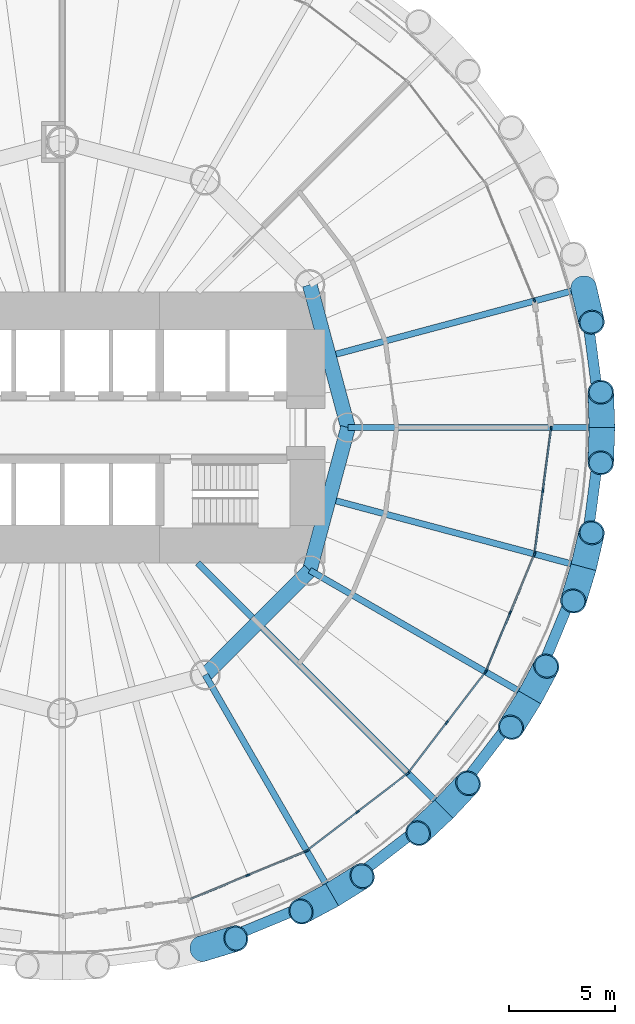
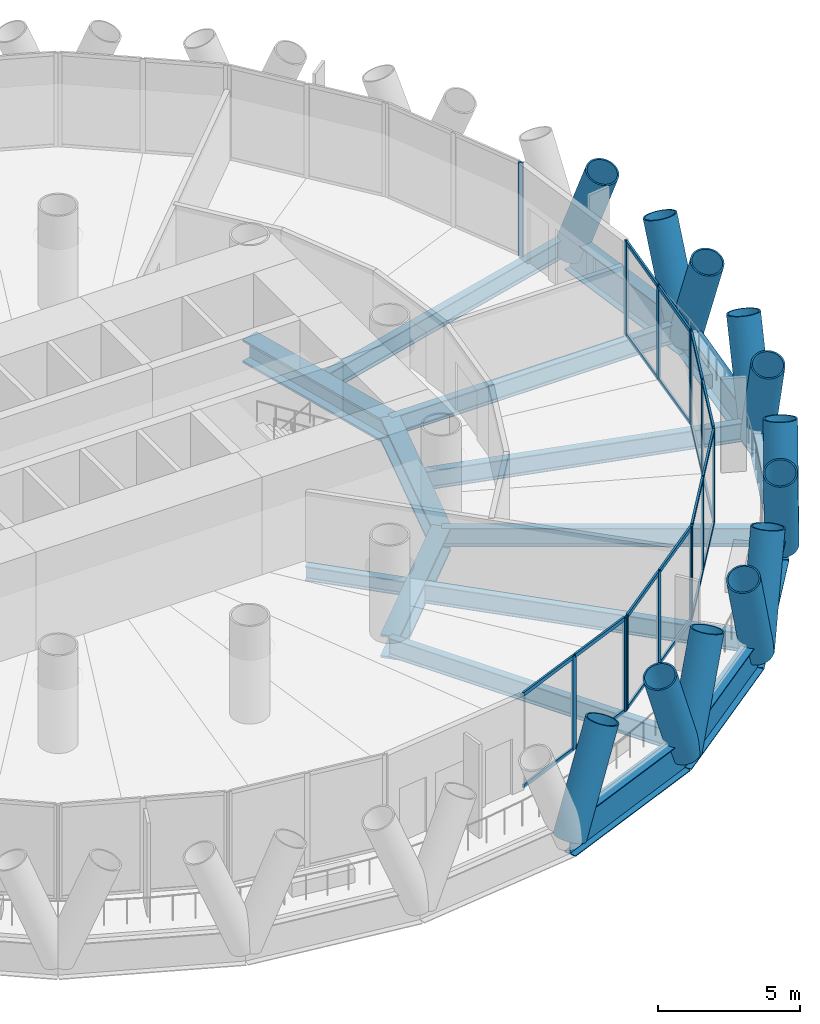
# One storey, part 4 of 14: 47 members, 16 beams, 6 elements without a shape of their own.
"""IFC4 building model written with IfcOpenShell, lengths in metres."""

from ifc_helpers import new_model, si_unit, direction, frame, origin, origin_2d, place, context, subcontext, project, spatial, rectangle, hollow_circle, i_section, extrude, material, material_profile, profile_set, type_object, element, aggregate, save


model = new_model("IFC4")

# Units and contexts
model_context = context("Model", 3, precision=1e-05, world=origin(), true_north=direction((0.0, 1.0)))
body_context = subcontext(model_context, "Body", "Model", "MODEL_VIEW")
ifc_project = project(units=[si_unit("LENGTHUNIT", "METRE"), si_unit("AREAUNIT", "SQUARE_METRE"), si_unit("VOLUMEUNIT", "CUBIC_METRE"), si_unit("PLANEANGLEUNIT", "RADIAN"), si_unit("MASSUNIT", "GRAM", prefix="KILO")], contexts=[model_context])

# Site, building, storey
site_placement = place(None, origin())
site = spatial("IfcSite", under=ifc_project, at=site_placement, CompositionType="ELEMENT")
building_placement = place(site_placement, origin())
building = spatial("IfcBuilding", under=site, at=building_placement, Name="Qaws Media Tower", CompositionType="ELEMENT")
storey_placement = place(building_placement, frame((0.0, 0.0, 76.39990234375)))
storey = spatial("IfcBuildingStorey", under=building, at=storey_placement, Name="L16", CompositionType="ELEMENT", Elevation=76.39990234375)

# Curtain wall, member
ifc_material_1 = material(Name="Aluminium and clear glass", Category="aluminium")
curtain_wall_type = type_object("IfcCurtainWallType", Name="Unitised curtain wall CW-A", PredefinedType="NOTDEFINED", material=ifc_material_1)
curtain_wall_1_placement = place(storey_placement, origin())
curtain_wall_1 = element("IfcCurtainWall", 1, at=curtain_wall_1_placement, inside=storey, type_object=curtain_wall_type, Name="CWA curtain wall L16-02", PredefinedType="NOTDEFINED")
ifc_material_2 = material(Name="Aluminium mullion", Category="aluminium")
ifc_material_profile_1 = material_profile(ifc_material_2, rectangle(XDim=0.080078125, YDim=0.199951171875, at=origin_2d()), Name="80x200")
ifc_profile_set_1 = profile_set([ifc_material_profile_1], Name="Aluminium mullion")
member_type_1 = type_object("IfcMemberType", Name="Curtain wall mullion 80x200", PredefinedType="MULLION", material=ifc_profile_set_1)
member_1_placement = place(storey_placement, frame((82.297607421875, 56.015625, 0.0), z_axis=(0.0, 0.0, 1.0), x_axis=(-0.923879517022, -0.382683469758, 0.0)))
member_1 = element("IfcMember", 2, at=member_1_placement, type_object=member_type_1, Name="CWA mullion 1", PredefinedType="MULLION", context=body_context, shape_type="SweptSolid", body=[
    extrude(rectangle(XDim=0.080078125, YDim=0.199951171875, at=origin_2d()), origin(), (0.0, 0.0, 1.0), 4.0400390625),
])
aggregate(curtain_wall_1, [member_1])

# Curtain wall, members
curtain_wall_2_placement = place(storey_placement, origin())
curtain_wall_2 = element("IfcCurtainWall", 3, at=curtain_wall_2_placement, inside=storey, type_object=curtain_wall_type, Name="CWA curtain wall L16-20", PredefinedType="NOTDEFINED")
member_2_placement = place(storey_placement, frame((68.764404296875, 28.841064453125, 0.0), z_axis=(0.0, 0.0, 1.0), x_axis=(-0.382683469758, 0.923879517022, 0.0)))
member_2 = element("IfcMember", 4, at=member_2_placement, type_object=member_type_1, Name="CWA mullion 2", PredefinedType="MULLION", context=body_context, shape_type="SweptSolid", body=[
    extrude(rectangle(XDim=0.080078125, YDim=0.199951171875, at=origin_2d()), origin(), (0.0, 0.0, 1.0), 4.0400390625),
])
member_3_placement = place(storey_placement, frame((71.512939453125, 29.9794921875, 0.0), z_axis=(0.0, 0.0, 1.0), x_axis=(-0.382683469758, 0.923879517022, 0.0)))
member_3 = element("IfcMember", 5, at=member_3_placement, type_object=member_type_1, Name="CWA mullion 3", PredefinedType="MULLION", context=body_context, shape_type="SweptSolid", body=[
    extrude(rectangle(XDim=0.080078125, YDim=0.199951171875, at=origin_2d()), origin(), (0.0, 0.0, 1.0), 4.0400390625),
])

curtain_wall_3_placement = place(storey_placement, origin())
curtain_wall_3 = element("IfcCurtainWall", 6, at=curtain_wall_3_placement, inside=storey, type_object=curtain_wall_type, Name="CWA curtain wall L16-21", PredefinedType="NOTDEFINED")
member_4_placement = place(storey_placement, frame((71.581787109375, 30.01904296875, 0.0), z_axis=(0.0, 0.0, 1.0), x_axis=(-0.608761381612, 0.79335337666, 0.0)))
member_4 = element("IfcMember", 7, at=member_4_placement, type_object=member_type_1, Name="CWA mullion 1", PredefinedType="MULLION", context=body_context, shape_type="SweptSolid", body=[
    extrude(rectangle(XDim=0.080078125, YDim=0.199951171875, at=origin_2d()), origin(), (0.0, 0.0, 1.0), 4.0400390625),
])
member_5_placement = place(storey_placement, frame((73.942138671875, 31.830322265625, 0.0), z_axis=(0.0, 0.0, 1.0), x_axis=(-0.608761381612, 0.79335337666, 0.0)))
member_5 = element("IfcMember", 8, at=member_5_placement, type_object=member_type_1, Name="CWA mullion 2", PredefinedType="MULLION", context=body_context, shape_type="SweptSolid", body=[
    extrude(rectangle(XDim=0.080078125, YDim=0.199951171875, at=origin_2d()), origin(), (0.0, 0.0, 1.0), 4.0400390625),
])
member_6_placement = place(storey_placement, frame((76.302490234375, 33.6416015625, 0.0), z_axis=(0.0, 0.0, 1.0), x_axis=(-0.608761381612, 0.79335337666, 0.0)))
member_6 = element("IfcMember", 9, at=member_6_placement, type_object=member_type_1, Name="CWA mullion 3", PredefinedType="MULLION", context=body_context, shape_type="SweptSolid", body=[
    extrude(rectangle(XDim=0.080078125, YDim=0.199951171875, at=origin_2d()), origin(), (0.0, 0.0, 1.0), 4.0400390625),
])

curtain_wall_4_placement = place(storey_placement, origin())
curtain_wall_4 = element("IfcCurtainWall", 10, at=curtain_wall_4_placement, inside=storey, type_object=curtain_wall_type, Name="CWA curtain wall L16-22", PredefinedType="NOTDEFINED")
member_7_placement = place(storey_placement, frame((76.3583984375, 33.697509765625, 0.0), z_axis=(0.0, 0.0, 1.0), x_axis=(-0.79335337666, 0.608761381612, 0.0)))
member_7 = element("IfcMember", 11, at=member_7_placement, type_object=member_type_1, Name="CWA mullion 1", PredefinedType="MULLION", context=body_context, shape_type="SweptSolid", body=[
    extrude(rectangle(XDim=0.080078125, YDim=0.199951171875, at=origin_2d()), origin(), (0.0, 0.0, 1.0), 4.0400390625),
])
member_8_placement = place(storey_placement, frame((78.169677734375, 36.057861328125, 0.0), z_axis=(0.0, 0.0, 1.0), x_axis=(-0.79335337666, 0.608761381612, 0.0)))
member_8 = element("IfcMember", 12, at=member_8_placement, type_object=member_type_1, Name="CWA mullion 2", PredefinedType="MULLION", context=body_context, shape_type="SweptSolid", body=[
    extrude(rectangle(XDim=0.080078125, YDim=0.199951171875, at=origin_2d()), origin(), (0.0, 0.0, 1.0), 4.0400390625),
])
member_9_placement = place(storey_placement, frame((79.98095703125, 38.418212890625, 0.0), z_axis=(0.0, 0.0, 1.0), x_axis=(-0.79335337666, 0.608761381612, 0.0)))
member_9 = element("IfcMember", 13, at=member_9_placement, type_object=member_type_1, Name="CWA mullion 3", PredefinedType="MULLION", context=body_context, shape_type="SweptSolid", body=[
    extrude(rectangle(XDim=0.080078125, YDim=0.199951171875, at=origin_2d()), origin(), (0.0, 0.0, 1.0), 4.0400390625),
])

curtain_wall_5_placement = place(storey_placement, origin())
curtain_wall_5 = element("IfcCurtainWall", 14, at=curtain_wall_5_placement, inside=storey, type_object=curtain_wall_type, Name="CWA curtain wall L16-23", PredefinedType="NOTDEFINED")
member_10_placement = place(storey_placement, frame((80.0205078125, 38.487060546875, 0.0), z_axis=(0.0, 0.0, 1.0), x_axis=(-0.923879517022, 0.382683469758, 0.0)))
member_10 = element("IfcMember", 15, at=member_10_placement, type_object=member_type_1, Name="CWA mullion 1", PredefinedType="MULLION", context=body_context, shape_type="SweptSolid", body=[
    extrude(rectangle(XDim=0.080078125, YDim=0.199951171875, at=origin_2d()), origin(), (0.0, 0.0, 1.0), 4.0400390625),
])
member_11_placement = place(storey_placement, frame((81.158935546875, 41.235595703125, 0.0), z_axis=(0.0, 0.0, 1.0), x_axis=(-0.923879517022, 0.382683469758, 0.0)))
member_11 = element("IfcMember", 16, at=member_11_placement, type_object=member_type_1, Name="CWA mullion 2", PredefinedType="MULLION", context=body_context, shape_type="SweptSolid", body=[
    extrude(rectangle(XDim=0.080078125, YDim=0.199951171875, at=origin_2d()), origin(), (0.0, 0.0, 1.0), 4.0400390625),
])
member_12_placement = place(storey_placement, frame((82.297607421875, 43.984375, 0.0), z_axis=(0.0, 0.0, 1.0), x_axis=(-0.923879517022, 0.382683469758, 0.0)))
member_12 = element("IfcMember", 17, at=member_12_placement, type_object=member_type_1, Name="CWA mullion 3", PredefinedType="MULLION", context=body_context, shape_type="SweptSolid", body=[
    extrude(rectangle(XDim=0.080078125, YDim=0.199951171875, at=origin_2d()), origin(), (0.0, 0.0, 1.0), 4.0400390625),
])

curtain_wall_6_placement = place(storey_placement, origin())
curtain_wall_6 = element("IfcCurtainWall", 18, at=curtain_wall_6_placement, inside=storey, type_object=curtain_wall_type, Name="CWA curtain wall L16-24", PredefinedType="NOTDEFINED")
member_13_placement = place(storey_placement, frame((82.318115234375, 44.06103515625, 0.0), z_axis=(0.0, 0.0, 1.0), x_axis=(-0.991444870395, 0.130526123696, 0.0)))
member_13 = element("IfcMember", 19, at=member_13_placement, type_object=member_type_1, Name="CWA mullion 1", PredefinedType="MULLION", context=body_context, shape_type="SweptSolid", body=[
    extrude(rectangle(XDim=0.080078125, YDim=0.199951171875, at=origin_2d()), origin(), (0.0, 0.0, 1.0), 4.0400390625),
])
member_14_placement = place(storey_placement, frame((82.70654296875, 47.0107421875, 0.0), z_axis=(0.0, 0.0, 1.0), x_axis=(-0.991444870395, 0.130526123696, 0.0)))
member_14 = element("IfcMember", 20, at=member_14_placement, type_object=member_type_1, Name="CWA mullion 2", PredefinedType="MULLION", context=body_context, shape_type="SweptSolid", body=[
    extrude(rectangle(XDim=0.080078125, YDim=0.199951171875, at=origin_2d()), origin(), (0.0, 0.0, 1.0), 4.0400390625),
])
member_15_placement = place(storey_placement, frame((83.0947265625, 49.96044921875, 0.0), z_axis=(0.0, 0.0, 1.0), x_axis=(-0.991444870395, 0.130526123696, 0.0)))
member_15 = element("IfcMember", 21, at=member_15_placement, type_object=member_type_1, Name="CWA mullion 3", PredefinedType="MULLION", context=body_context, shape_type="SweptSolid", body=[
    extrude(rectangle(XDim=0.080078125, YDim=0.199951171875, at=origin_2d()), origin(), (0.0, 0.0, 1.0), 4.0400390625),
])

# Member
ifc_material_3 = material(Name="Aluminium transom", Category="aluminium")
ifc_material_profile_2 = material_profile(ifc_material_3, rectangle(XDim=0.080078125, YDim=0.159912109375, at=origin_2d()), Name="80x160")
ifc_profile_set_2 = profile_set([ifc_material_profile_2], Name="Aluminium transom")
member_type_2 = type_object("IfcMemberType", Name="Curtain wall transom 80x160", PredefinedType="USERDEFINED", material=ifc_profile_set_2)
member_16_placement = place(storey_placement, frame((66.052734375, 27.7177734375, 0.0400390625), z_axis=(0.923870872897, 0.382704337855, 0.0), x_axis=(-0.382704337855, 0.923870872897, 0.0)))
member_16 = element("IfcMember", 22, at=member_16_placement, type_object=member_type_2, Name="CWA transom 1.1", ObjectType="TRANSOM", PredefinedType="USERDEFINED", context=body_context, shape_type="SweptSolid", body=[
    extrude(rectangle(XDim=0.080078125, YDim=0.159912109375, at=origin_2d()), origin(), (0.0, 0.0, 1.0), 2.89501953125),
])

member_17_placement = place(storey_placement, frame((66.052734375, 27.7177734375, 4.0), z_axis=(0.923870872897, 0.382704337855, 0.0), x_axis=(-0.382704337855, 0.923870872897, 0.0)))
member_17 = element("IfcMember", 23, at=member_17_placement, type_object=member_type_2, Name="CWA transom 1.2", ObjectType="TRANSOM", PredefinedType="USERDEFINED", context=body_context, shape_type="SweptSolid", body=[
    extrude(rectangle(XDim=0.080078125, YDim=0.159912109375, at=origin_2d()), origin(), (0.0, 0.0, 1.0), 2.89501953125),
])

member_18_placement = place(storey_placement, frame((68.80126953125, 28.856201171875, 0.0400390625), z_axis=(0.923883223123, 0.382674522319, 0.0), x_axis=(-0.382674522319, 0.923883223123, 0.0)))
member_18 = element("IfcMember", 24, at=member_18_placement, type_object=member_type_2, Name="CWA transom 2.1", ObjectType="TRANSOM", PredefinedType="USERDEFINED", context=body_context, shape_type="SweptSolid", body=[
    extrude(rectangle(XDim=0.080078125, YDim=0.159912109375, at=origin_2d()), origin(), (0.0, 0.0, 1.0), 2.895263671875),
])

member_19_placement = place(storey_placement, frame((68.80126953125, 28.856201171875, 4.0), z_axis=(0.923883223123, 0.382674522319, 0.0), x_axis=(-0.382674522319, 0.923883223123, 0.0)))
member_19 = element("IfcMember", 25, at=member_19_placement, type_object=member_type_2, Name="CWA transom 2.2", ObjectType="TRANSOM", PredefinedType="USERDEFINED", context=body_context, shape_type="SweptSolid", body=[
    extrude(rectangle(XDim=0.080078125, YDim=0.159912109375, at=origin_2d()), origin(), (0.0, 0.0, 1.0), 2.895263671875),
])

aggregate(curtain_wall_2, [member_2, member_3, member_16, member_17, member_18, member_19])

member_20_placement = place(storey_placement, frame((71.613525390625, 30.04345703125, 0.0400390625), z_axis=(0.793353841353, 0.608760776012, 0.0), x_axis=(-0.608760776012, 0.793353841353, 0.0)))
member_20 = element("IfcMember", 26, at=member_20_placement, type_object=member_type_2, Name="CWA transom 1.1", ObjectType="TRANSOM", PredefinedType="USERDEFINED", context=body_context, shape_type="SweptSolid", body=[
    extrude(rectangle(XDim=0.080078125, YDim=0.159912109375, at=origin_2d()), origin(), (0.0, 0.0, 1.0), 2.895263671875),
])

member_21_placement = place(storey_placement, frame((71.613525390625, 30.04345703125, 4.0), z_axis=(0.793353841353, 0.608760776012, 0.0), x_axis=(-0.608760776012, 0.793353841353, 0.0)))
member_21 = element("IfcMember", 27, at=member_21_placement, type_object=member_type_2, Name="CWA transom 1.2", ObjectType="TRANSOM", PredefinedType="USERDEFINED", context=body_context, shape_type="SweptSolid", body=[
    extrude(rectangle(XDim=0.080078125, YDim=0.159912109375, at=origin_2d()), origin(), (0.0, 0.0, 1.0), 2.895263671875),
])

member_22_placement = place(storey_placement, frame((73.973876953125, 31.854736328125, 0.0400390625), z_axis=(0.793353841353, 0.608760776012, 0.0), x_axis=(-0.608760776012, 0.793353841353, 0.0)))
member_22 = element("IfcMember", 28, at=member_22_placement, type_object=member_type_2, Name="CWA transom 2.1", ObjectType="TRANSOM", PredefinedType="USERDEFINED", context=body_context, shape_type="SweptSolid", body=[
    extrude(rectangle(XDim=0.080078125, YDim=0.159912109375, at=origin_2d()), origin(), (0.0, 0.0, 1.0), 2.895263671875),
])

member_23_placement = place(storey_placement, frame((73.973876953125, 31.854736328125, 4.0), z_axis=(0.793353841353, 0.608760776012, 0.0), x_axis=(-0.608760776012, 0.793353841353, 0.0)))
member_23 = element("IfcMember", 29, at=member_23_placement, type_object=member_type_2, Name="CWA transom 2.2", ObjectType="TRANSOM", PredefinedType="USERDEFINED", context=body_context, shape_type="SweptSolid", body=[
    extrude(rectangle(XDim=0.080078125, YDim=0.159912109375, at=origin_2d()), origin(), (0.0, 0.0, 1.0), 2.895263671875),
])

aggregate(curtain_wall_3, [member_4, member_5, member_6, member_20, member_21, member_22, member_23])

member_24_placement = place(storey_placement, frame((76.3828125, 33.729248046875, 0.0400390625), z_axis=(0.608760776012, 0.793353841353, 0.0), x_axis=(-0.793353841353, 0.608760776012, 0.0)))
member_24 = element("IfcMember", 30, at=member_24_placement, type_object=member_type_2, Name="CWA transom 1.1", ObjectType="TRANSOM", PredefinedType="USERDEFINED", context=body_context, shape_type="SweptSolid", body=[
    extrude(rectangle(XDim=0.080078125, YDim=0.159912109375, at=origin_2d()), origin(), (0.0, 0.0, 1.0), 2.895263671875),
])

member_25_placement = place(storey_placement, frame((76.3828125, 33.729248046875, 4.0), z_axis=(0.608760776012, 0.793353841353, 0.0), x_axis=(-0.793353841353, 0.608760776012, 0.0)))
member_25 = element("IfcMember", 31, at=member_25_placement, type_object=member_type_2, Name="CWA transom 1.2", ObjectType="TRANSOM", PredefinedType="USERDEFINED", context=body_context, shape_type="SweptSolid", body=[
    extrude(rectangle(XDim=0.080078125, YDim=0.159912109375, at=origin_2d()), origin(), (0.0, 0.0, 1.0), 2.895263671875),
])

member_26_placement = place(storey_placement, frame((78.194091796875, 36.089599609375, 0.0400390625), z_axis=(0.608760776012, 0.793353841353, 0.0), x_axis=(-0.793353841353, 0.608760776012, 0.0)))
member_26 = element("IfcMember", 32, at=member_26_placement, type_object=member_type_2, Name="CWA transom 2.1", ObjectType="TRANSOM", PredefinedType="USERDEFINED", context=body_context, shape_type="SweptSolid", body=[
    extrude(rectangle(XDim=0.080078125, YDim=0.159912109375, at=origin_2d()), origin(), (0.0, 0.0, 1.0), 2.895263671875),
])

member_27_placement = place(storey_placement, frame((78.194091796875, 36.089599609375, 4.0), z_axis=(0.608760776012, 0.793353841353, 0.0), x_axis=(-0.793353841353, 0.608760776012, 0.0)))
member_27 = element("IfcMember", 33, at=member_27_placement, type_object=member_type_2, Name="CWA transom 2.2", ObjectType="TRANSOM", PredefinedType="USERDEFINED", context=body_context, shape_type="SweptSolid", body=[
    extrude(rectangle(XDim=0.080078125, YDim=0.159912109375, at=origin_2d()), origin(), (0.0, 0.0, 1.0), 2.895263671875),
])

aggregate(curtain_wall_4, [member_7, member_8, member_9, member_24, member_25, member_26, member_27])

member_28_placement = place(storey_placement, frame((80.035888671875, 38.52392578125, 0.0400390625), z_axis=(0.382674522319, 0.923883223123, 0.0), x_axis=(-0.923883223123, 0.382674522319, 0.0)))
member_28 = element("IfcMember", 34, at=member_28_placement, type_object=member_type_2, Name="CWA transom 1.1", ObjectType="TRANSOM", PredefinedType="USERDEFINED", context=body_context, shape_type="SweptSolid", body=[
    extrude(rectangle(XDim=0.080078125, YDim=0.159912109375, at=origin_2d()), origin(), (0.0, 0.0, 1.0), 2.895263671875),
])

member_29_placement = place(storey_placement, frame((80.035888671875, 38.52392578125, 4.0), z_axis=(0.382674522319, 0.923883223123, 0.0), x_axis=(-0.923883223123, 0.382674522319, 0.0)))
member_29 = element("IfcMember", 35, at=member_29_placement, type_object=member_type_2, Name="CWA transom 1.2", ObjectType="TRANSOM", PredefinedType="USERDEFINED", context=body_context, shape_type="SweptSolid", body=[
    extrude(rectangle(XDim=0.080078125, YDim=0.159912109375, at=origin_2d()), origin(), (0.0, 0.0, 1.0), 2.895263671875),
])

member_30_placement = place(storey_placement, frame((81.17431640625, 41.272705078125, 0.0400390625), z_axis=(0.382704337855, 0.923870872897, 0.0), x_axis=(-0.923870872897, 0.382704337855, 0.0)))
member_30 = element("IfcMember", 36, at=member_30_placement, type_object=member_type_2, Name="CWA transom 2.1", ObjectType="TRANSOM", PredefinedType="USERDEFINED", context=body_context, shape_type="SweptSolid", body=[
    extrude(rectangle(XDim=0.080078125, YDim=0.159912109375, at=origin_2d()), origin(), (0.0, 0.0, 1.0), 2.89501953125),
])

member_31_placement = place(storey_placement, frame((81.17431640625, 41.272705078125, 4.0), z_axis=(0.382704337855, 0.923870872897, 0.0), x_axis=(-0.923870872897, 0.382704337855, 0.0)))
member_31 = element("IfcMember", 37, at=member_31_placement, type_object=member_type_2, Name="CWA transom 2.2", ObjectType="TRANSOM", PredefinedType="USERDEFINED", context=body_context, shape_type="SweptSolid", body=[
    extrude(rectangle(XDim=0.080078125, YDim=0.159912109375, at=origin_2d()), origin(), (0.0, 0.0, 1.0), 2.89501953125),
])

aggregate(curtain_wall_5, [member_10, member_11, member_12, member_28, member_29, member_30, member_31])

member_32_placement = place(storey_placement, frame((82.3232421875, 44.1005859375, 0.0400390625), z_axis=(0.130539586254, 0.991443097924, 0.0), x_axis=(-0.991443097924, 0.130539586254, 0.0)))
member_32 = element("IfcMember", 38, at=member_32_placement, type_object=member_type_2, Name="CWA transom 1.1", ObjectType="TRANSOM", PredefinedType="USERDEFINED", context=body_context, shape_type="SweptSolid", body=[
    extrude(rectangle(XDim=0.080078125, YDim=0.159912109375, at=origin_2d()), origin(), (0.0, 0.0, 1.0), 2.89501953125),
])

member_33_placement = place(storey_placement, frame((82.3232421875, 44.1005859375, 4.0), z_axis=(0.130539586254, 0.991443097924, 0.0), x_axis=(-0.991443097924, 0.130539586254, 0.0)))
member_33 = element("IfcMember", 39, at=member_33_placement, type_object=member_type_2, Name="CWA transom 1.2", ObjectType="TRANSOM", PredefinedType="USERDEFINED", context=body_context, shape_type="SweptSolid", body=[
    extrude(rectangle(XDim=0.080078125, YDim=0.159912109375, at=origin_2d()), origin(), (0.0, 0.0, 1.0), 2.89501953125),
])

member_34_placement = place(storey_placement, frame((82.711669921875, 47.05029296875, 0.0400390625), z_axis=(0.130539586254, 0.991443097924, 0.0), x_axis=(-0.991443097924, 0.130539586254, 0.0)))
member_34 = element("IfcMember", 40, at=member_34_placement, type_object=member_type_2, Name="CWA transom 2.1", ObjectType="TRANSOM", PredefinedType="USERDEFINED", context=body_context, shape_type="SweptSolid", body=[
    extrude(rectangle(XDim=0.080078125, YDim=0.159912109375, at=origin_2d()), origin(), (0.0, 0.0, 1.0), 2.89501953125),
])

member_35_placement = place(storey_placement, frame((82.711669921875, 47.05029296875, 4.0), z_axis=(0.130539586254, 0.991443097924, 0.0), x_axis=(-0.991443097924, 0.130539586254, 0.0)))
member_35 = element("IfcMember", 41, at=member_35_placement, type_object=member_type_2, Name="CWA transom 2.2", ObjectType="TRANSOM", PredefinedType="USERDEFINED", context=body_context, shape_type="SweptSolid", body=[
    extrude(rectangle(XDim=0.080078125, YDim=0.159912109375, at=origin_2d()), origin(), (0.0, 0.0, 1.0), 2.89501953125),
])

aggregate(curtain_wall_6, [member_13, member_14, member_15, member_32, member_33, member_34, member_35])

# Members
ifc_material_4 = material(Name="Steel S460", Category="steel")
ifc_material_profile_3 = material_profile(ifc_material_4, hollow_circle(Radius=0.609619140625, WallThickness=0.06005859375, at=origin_2d()), Name="CHS 1219x60")
ifc_profile_set_3 = profile_set([ifc_material_profile_3], Name="Steel S460")
member_type_3 = type_object("IfcMemberType", Name="Diagrid member CHS 1219x60", PredefinedType="USERDEFINED", material=ifc_profile_set_3)
for number, where, z_axis, x_axis, name in (
    (42, (85.5, 50.0, -0.909912109375), (-0.012100933718, 0.369024456381, 0.929340905156), (-0.999462785907, -0.03277406881, 0.0), "DG1 diagrid L16 A01"),
    (43, (85.5, 50.0, -0.909912109375), (-0.012100933718, -0.369024456381, 0.929340905156), (0.999462785907, -0.03277406881, 0.0), "DG1 diagrid L16 B01"),
    (44, (84.631103515625, 56.599853515625, -0.909912109375), (0.083842391234, -0.359571492302, 0.92934320644), (0.973875734494, 0.227081601553, 0.0), "DG1 diagrid L16 B02"),
    (45, (66.599853515625, 25.368896484375, -0.909912109375), (0.353353840999, 0.107178416227, 0.929329785462), (-0.290259134393, 0.956948083702, 0.0), "DG1 diagrid L16 A20"),
    (46, (72.75, 27.916259765625, -0.909912109375), (0.31354119219, 0.195017867644, 0.929333068442), (-0.528156564892, 0.84914700904, 0.0), "DG1 diagrid L16 A21"),
    (47, (72.75, 27.916259765625, -0.909912109375), (-0.32564223674, -0.174057612272, 0.929333675953), (0.471392967129, -0.881923279283, 0.0), "DG1 diagrid L16 B21"),
    (48, (78.03125, 31.96875, -0.909912109375), (0.25238907364, 0.269513931591, 0.929334168201), (-0.729915782041, 0.683537088333, 0.0), "DG1 diagrid L16 A22"),
    (49, (78.03125, 31.96875, -0.909912109375), (-0.269513931591, -0.25238907364, 0.929334168201), (0.683537088333, -0.729915782041, 0.0), "DG1 diagrid L16 B22"),
    (50, (82.083740234375, 37.25, -0.909912109375), (0.174057612272, 0.32564223674, 0.929333675953), (-0.881923279283, 0.471392967129, 0.0), "DG1 diagrid L16 A23"),
    (51, (82.083740234375, 37.25, -0.909912109375), (-0.195017867644, -0.31354119219, 0.929333068442), (0.84914700904, -0.528156564892, 0.0), "DG1 diagrid L16 B23"),
    (52, (84.631103515625, 43.400146484375, -0.909912109375), (0.083842391234, 0.359571492302, 0.92934320644), (-0.973875734494, 0.227081601553, 0.0), "DG1 diagrid L16 A24"),
    (53, (84.631103515625, 43.400146484375, -0.909912109375), (-0.107178416227, -0.353353840999, 0.929329785462), (0.956948083702, -0.290259134393, 0.0), "DG1 diagrid L16 B24"),
):
    element("IfcMember", number, at=place(storey_placement, frame(where, z_axis=z_axis, x_axis=x_axis)), inside=storey, type_object=member_type_3, Name=name, ObjectType="DIAGRID", PredefinedType="USERDEFINED", context=body_context, shape_type="SweptSolid", body=[
        extrude(hollow_circle(Radius=0.609619140625, WallThickness=0.06005859375, at=origin_2d()), origin(), (0.0, 0.0, 1.0), 4.519287109375),
    ])

# Beams
ifc_material_5 = material(Name="Steel S460", Category="steel")
ifc_material_profile_4 = material_profile(ifc_material_5, i_section(OverallWidth=0.5, OverallDepth=1.5, WebThickness=0.02001953125, FlangeThickness=0.0400390625, at=origin_2d()), Name="PG 1500x500")
ifc_profile_set_4 = profile_set([ifc_material_profile_4], Name="Steel S460")
beam_type_1 = type_object("IfcBeamType", Name="Edge ring beam PG 1500x500", PredefinedType="BEAM", material=ifc_profile_set_4)
for number, where, z_axis, x_axis, name in (
    (54, (85.5, 50.0, -0.909912109375), (-0.130527563319, 0.991444680864, 0.0), (-0.991444680864, -0.130527563319, 0.0), "RB4 edge ring beam L16-01"),
    (55, (66.599853515625, 25.368896484375, -0.909912109375), (0.923885417312, 0.382669224891, 0.0), (-0.382669224891, 0.923885417312, 0.0), "RB4 edge ring beam L16-20"),
):
    element("IfcBeam", number, at=place(storey_placement, frame(where, z_axis=z_axis, x_axis=x_axis)), inside=storey, type_object=beam_type_1, Name=name, PredefinedType="BEAM", context=body_context, shape_type="SweptSolid", body=[
        extrude(i_section(OverallWidth=0.5, OverallDepth=1.5, WebThickness=0.02001953125, FlangeThickness=0.0400390625, at=origin_2d()), origin(), (0.0, 0.0, 1.0), 6.65673828125),
    ])
for number, where, z_axis, x_axis, name in (
    (56, (72.75, 27.916259765625, -0.909912109375), (0.793350106032, 0.608765643954, 0.0), (-0.608765643954, 0.793350106032, 0.0), "RB4 edge ring beam L16-21"),
    (57, (78.03125, 31.96875, -0.909912109375), (0.608765643954, 0.793350106032, 0.0), (-0.793350106032, 0.608765643954, 0.0), "RB4 edge ring beam L16-22"),
):
    element("IfcBeam", number, at=place(storey_placement, frame(where, z_axis=z_axis, x_axis=x_axis)), inside=storey, type_object=beam_type_1, Name=name, PredefinedType="BEAM", context=body_context, shape_type="SweptSolid", body=[
        extrude(i_section(OverallWidth=0.5, OverallDepth=1.5, WebThickness=0.02001953125, FlangeThickness=0.0400390625, at=origin_2d()), origin(), (0.0, 0.0, 1.0), 6.656982421875),
    ])
for number, where, z_axis, x_axis, name in (
    (58, (82.083740234375, 37.25, -0.909912109375), (0.382669224891, 0.923885417312, 0.0), (-0.923885417312, 0.382669224891, 0.0), "RB4 edge ring beam L16-23"),
    (59, (84.631103515625, 43.400146484375, -0.909912109375), (0.130527563319, 0.991444680864, 0.0), (-0.991444680864, 0.130527563319, 0.0), "RB4 edge ring beam L16-24"),
):
    element("IfcBeam", number, at=place(storey_placement, frame(where, z_axis=z_axis, x_axis=x_axis)), inside=storey, type_object=beam_type_1, Name=name, PredefinedType="BEAM", context=body_context, shape_type="SweptSolid", body=[
        extrude(i_section(OverallWidth=0.5, OverallDepth=1.5, WebThickness=0.02001953125, FlangeThickness=0.0400390625, at=origin_2d()), origin(), (0.0, 0.0, 1.0), 6.65673828125),
    ])
ifc_material_6 = material(Name="Steel S460", Category="steel")
ifc_material_profile_5 = material_profile(ifc_material_6, i_section(OverallWidth=0.699951171875, OverallDepth=1.0, WebThickness=0.034912109375, FlangeThickness=0.090087890625, at=origin_2d()), Name="PG 1000x700")
ifc_profile_set_5 = profile_set([ifc_material_profile_5], Name="Steel S460")
beam_type_2 = type_object("IfcBeamType", Name="Inner ring girder PG 1000x700", PredefinedType="BEAM", material=ifc_profile_set_5)
beam_1_placement = place(storey_placement, frame((73.5, 50.0, -0.659912109375), z_axis=(-0.258810593767, 0.965928090778, 0.0), x_axis=(-0.965928090778, -0.258810593767, 0.0)))
element("IfcBeam", 60, at=beam_1_placement, inside=storey, type_object=beam_type_2, Name="B3 inner ring beam L16 I01-I02", PredefinedType="BEAM", context=body_context, shape_type="SweptSolid", body=[
    extrude(i_section(OverallWidth=0.699951171875, OverallDepth=1.0, WebThickness=0.034912109375, FlangeThickness=0.090087890625, at=origin_2d()), origin(), (0.0, 0.0, 1.0), 6.988037109375),
])
beam_2_placement = place(storey_placement, frame((66.75, 38.30859375, -0.659912109375), z_axis=(0.707106781187, 0.707106781187, 0.0), x_axis=(-0.707106781187, 0.707106781187, 0.0)))
element("IfcBeam", 61, at=beam_2_placement, inside=storey, type_object=beam_type_2, Name="B3 inner ring beam L16 I11-I12", PredefinedType="BEAM", context=body_context, shape_type="SweptSolid", body=[
    extrude(i_section(OverallWidth=0.699951171875, OverallDepth=1.0, WebThickness=0.034912109375, FlangeThickness=0.090087890625, at=origin_2d()), origin(), (0.0, 0.0, 1.0), 6.98828125),
])
beam_3_placement = place(storey_placement, frame((71.69140625, 43.25, -0.659912109375), z_axis=(0.258810593767, 0.965928090778, 0.0), x_axis=(-0.965928090778, 0.258810593767, 0.0)))
element("IfcBeam", 62, at=beam_3_placement, inside=storey, type_object=beam_type_2, Name="B3 inner ring beam L16 I12-I01", PredefinedType="BEAM", context=body_context, shape_type="SweptSolid", body=[
    extrude(i_section(OverallWidth=0.699951171875, OverallDepth=1.0, WebThickness=0.034912109375, FlangeThickness=0.090087890625, at=origin_2d()), origin(), (0.0, 0.0, 1.0), 6.988037109375),
])
ifc_material_7 = material(Name="Steel S355", Category="steel")
ifc_material_profile_6 = material_profile(ifc_material_7, i_section(OverallWidth=0.304931640625, OverallDepth=0.6201171875, WebThickness=0.02099609375, FlangeThickness=0.0400390625, FilletRadius=0.027099609375, at=origin_2d()), Name="HE 600 M")
ifc_profile_set_6 = profile_set([ifc_material_profile_6], Name="Steel S355")
beam_type_3 = type_object("IfcBeamType", Name="Radial beam HE 600 M, core side", PredefinedType="BEAM", material=ifc_profile_set_6)
beam_4_placement = place(storey_placement, frame((66.39990234375, 43.60009765625, -0.469970703125), z_axis=(0.707106781187, -0.707106781187, 0.0), x_axis=(0.707106781187, 0.707106781187, 0.0)))
element("IfcBeam", 63, at=beam_4_placement, inside=storey, type_object=beam_type_3, Name="B2 radial beam L16 22", PredefinedType="BEAM", context=body_context, shape_type="SweptSolid", body=[
    extrude(i_section(OverallWidth=0.304931640625, OverallDepth=0.6201171875, WebThickness=0.02099609375, FlangeThickness=0.0400390625, FilletRadius=0.027099609375, at=origin_2d()), origin(), (0.0, 0.0, 1.0), 3.63916015625),
])
ifc_material_8 = material(Name="Steel S355", Category="steel")
ifc_material_profile_7 = material_profile(ifc_material_8, i_section(OverallWidth=0.300048828125, OverallDepth=0.800048828125, WebThickness=0.017578125, FlangeThickness=0.032958984375, FilletRadius=0.030029296875, at=origin_2d()), Name="HE 800 B")
ifc_profile_set_7 = profile_set([ifc_material_profile_7], Name="Steel S355")
beam_type_4 = type_object("IfcBeamType", Name="Radial beam HE 800 B", PredefinedType="BEAM", material=ifc_profile_set_7)
beam_5_placement = place(storey_placement, frame((73.5, 50.0, -0.559814453125), z_axis=(1.0, 0.0, 0.0), x_axis=(0.0, 1.0, 0.0)))
element("IfcBeam", 64, at=beam_5_placement, inside=storey, type_object=beam_type_4, Name="B1 radial beam L16 01", PredefinedType="BEAM", context=body_context, shape_type="SweptSolid", body=[
    extrude(i_section(OverallWidth=0.300048828125, OverallDepth=0.800048828125, WebThickness=0.017578125, FlangeThickness=0.032958984375, FilletRadius=0.030029296875, at=origin_2d()), origin(), (0.0, 0.0, 1.0), 12.0),
])
beam_6_placement = place(storey_placement, frame((72.933837890625, 53.465576171875, -0.559814453125), z_axis=(0.965925734094, 0.258819389178, 0.0), x_axis=(-0.258819389178, 0.965925734094, 0.0)))
element("IfcBeam", 65, at=beam_6_placement, inside=storey, type_object=beam_type_4, Name="B1 radial beam L16 02", PredefinedType="BEAM", context=body_context, shape_type="SweptSolid", body=[
    extrude(i_section(OverallWidth=0.300048828125, OverallDepth=0.800048828125, WebThickness=0.017578125, FlangeThickness=0.032958984375, FilletRadius=0.030029296875, at=origin_2d()), origin(), (0.0, 0.0, 1.0), 12.10986328125),
])
beam_7_placement = place(storey_placement, frame((66.75, 38.30859375, -0.559814453125), z_axis=(0.49999894854, -0.866026010844, 0.0), x_axis=(0.866026010844, 0.49999894854, 0.0)))
element("IfcBeam", 66, at=beam_7_placement, inside=storey, type_object=beam_type_4, Name="B1 radial beam L16 21", PredefinedType="BEAM", context=body_context, shape_type="SweptSolid", body=[
    extrude(i_section(OverallWidth=0.300048828125, OverallDepth=0.800048828125, WebThickness=0.017578125, FlangeThickness=0.032958984375, FilletRadius=0.030029296875, at=origin_2d()), origin(), (0.0, 0.0, 1.0), 12.0),
])
beam_8_placement = place(storey_placement, frame((69.46826171875, 40.53173828125, -0.559814453125), z_axis=(0.707106781187, -0.707106781187, 0.0), x_axis=(0.707106781187, 0.707106781187, 0.0)))
element("IfcBeam", 67, at=beam_8_placement, inside=storey, type_object=beam_type_4, Name="B1 radial beam L16 22", PredefinedType="BEAM", context=body_context, shape_type="SweptSolid", body=[
    extrude(i_section(OverallWidth=0.300048828125, OverallDepth=0.800048828125, WebThickness=0.017578125, FlangeThickness=0.032958984375, FilletRadius=0.030029296875, at=origin_2d()), origin(), (0.0, 0.0, 1.0), 12.10986328125),
])
beam_9_placement = place(storey_placement, frame((71.69140625, 43.25, -0.559814453125), z_axis=(0.866026010844, -0.49999894854, 0.0), x_axis=(0.49999894854, 0.866026010844, 0.0)))
element("IfcBeam", 68, at=beam_9_placement, inside=storey, type_object=beam_type_4, Name="B1 radial beam L16 23", PredefinedType="BEAM", context=body_context, shape_type="SweptSolid", body=[
    extrude(i_section(OverallWidth=0.300048828125, OverallDepth=0.800048828125, WebThickness=0.017578125, FlangeThickness=0.032958984375, FilletRadius=0.030029296875, at=origin_2d()), origin(), (0.0, 0.0, 1.0), 12.0),
])
beam_10_placement = place(storey_placement, frame((72.933837890625, 46.534423828125, -0.559814453125), z_axis=(0.965925734094, -0.258819389178, 0.0), x_axis=(0.258819389178, 0.965925734094, 0.0)))
element("IfcBeam", 69, at=beam_10_placement, inside=storey, type_object=beam_type_4, Name="B1 radial beam L16 24", PredefinedType="BEAM", context=body_context, shape_type="SweptSolid", body=[
    extrude(i_section(OverallWidth=0.300048828125, OverallDepth=0.800048828125, WebThickness=0.017578125, FlangeThickness=0.032958984375, FilletRadius=0.030029296875, at=origin_2d()), origin(), (0.0, 0.0, 1.0), 12.10986328125),
])

save(model, "model.ifc")
